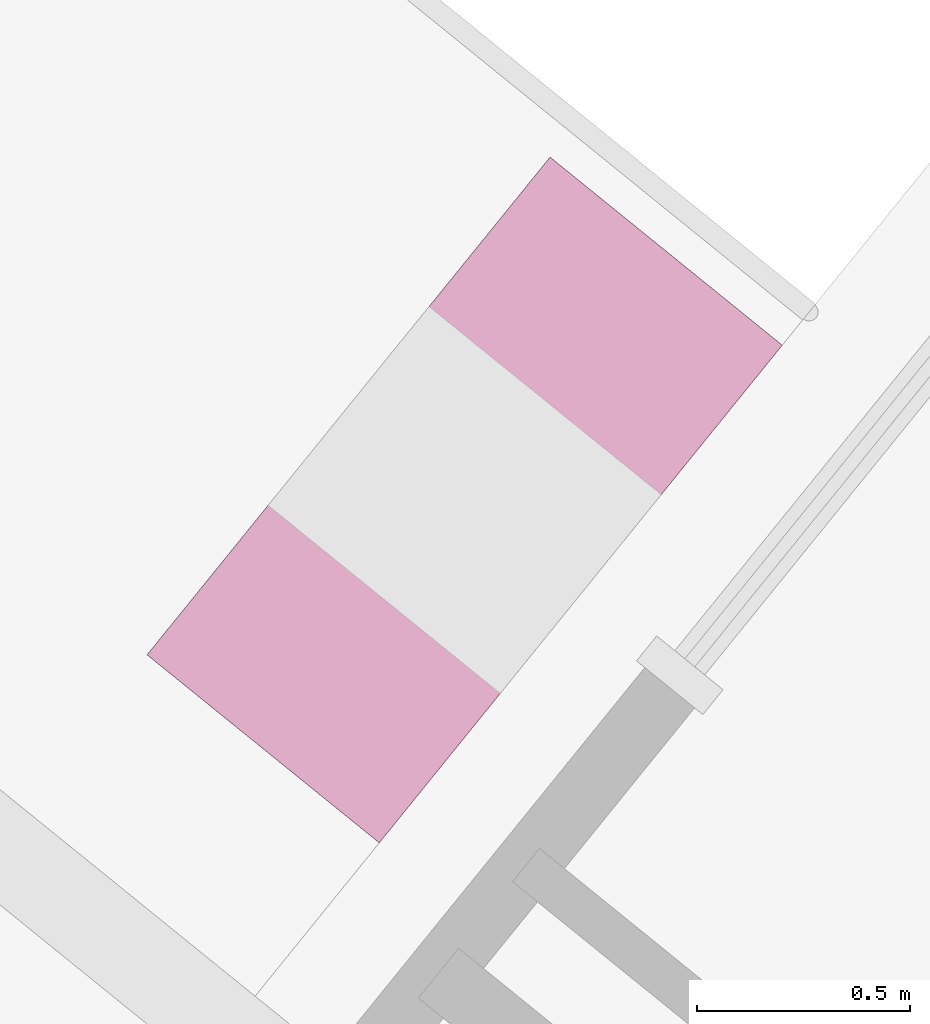
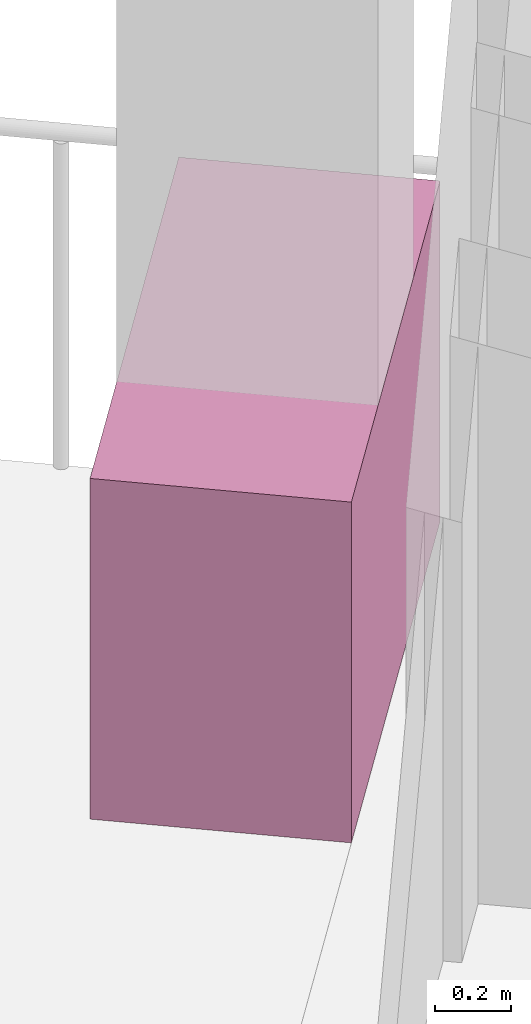
# One storey, part 20 of 21: 1 furniture element.
"""IFC4 building model written with IfcOpenShell, lengths in metres."""

from ifc_helpers import new_model, si_unit, direction, frame, origin, origin_2d, place, context, subcontext, project, spatial, rectangle, extrude, source, transform, mapped, material, type_object, element, save


model = new_model("IFC4")

# Units and contexts
model_context = context("Model", 3, precision=1e-05, world=origin(), true_north=direction((0.0, 1.0)))
body_context = subcontext(model_context, "Body", "Model", "MODEL_VIEW")
ifc_project = project(units=[si_unit("LENGTHUNIT", "METRE"), si_unit("AREAUNIT", "SQUARE_METRE"), si_unit("VOLUMEUNIT", "CUBIC_METRE"), si_unit("PLANEANGLEUNIT", "RADIAN"), si_unit("MASSUNIT", "GRAM", prefix="KILO")], contexts=[model_context])

# Site, building, storey
site_placement = place(None, origin())
site = spatial("IfcSite", under=ifc_project, at=site_placement, CompositionType="ELEMENT")
building_placement = place(site_placement, origin())
building = spatial("IfcBuilding", under=site, at=building_placement, Name="Triune Harvest Tower", CompositionType="ELEMENT")
storey_placement = place(building_placement, frame((0.0, 0.0, 160.5)))
storey = spatial("IfcBuildingStorey", under=building, at=storey_placement, Name="L41", CompositionType="ELEMENT", Elevation=160.5)

# Furniture
ifc_material = material(Name="Concrete 40 MPa", Category="concrete")
furniture_type = type_object("IfcFurnitureType", Name="PB-1 structural planter", AssemblyPlace="SITE", PredefinedType="USERDEFINED", material=ifc_material)
shared_shape = source(origin(), body_context, "Body", "SweptSolid", [
    extrude(rectangle(XDim=1.5, YDim=0.699951171875, at=origin_2d()), origin(), (0.0, 0.0, 1.0), 1.10009765625),
])
furniture_placement = place(storey_placement, frame((-6.447021484375, 26.997802734375, 0.0), z_axis=(0.0, 0.0, 1.0), x_axis=(-0.629321459087, -0.777145096577, 0.0)))
element("IfcFurniture", 1, at=furniture_placement, inside=storey, type_object=furniture_type, Name="Planter B4-F3 L41.3a", ObjectType="PLANTER", PredefinedType="USERDEFINED", context=body_context, shape_type="MappedRepresentation", body=[
    mapped(shared_shape, transform((0.0, 0.0, 0.0), scale=1.0)),
])

save(model, "model.ifc")
